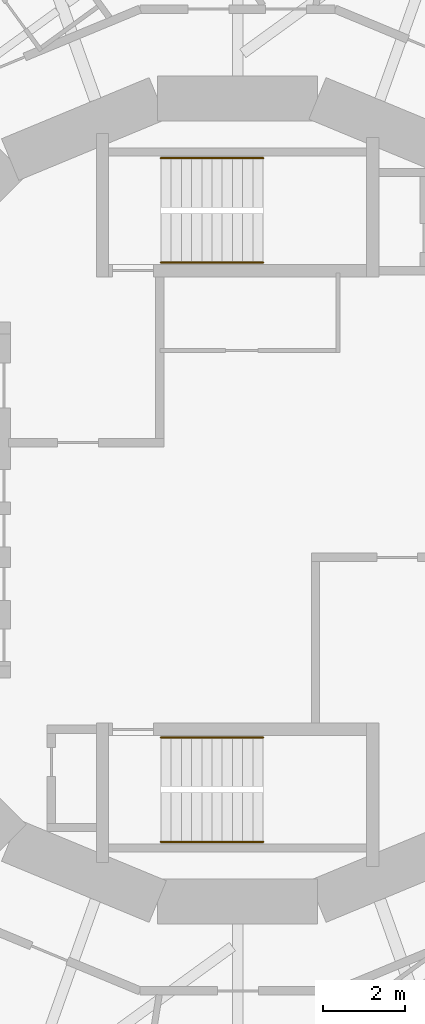
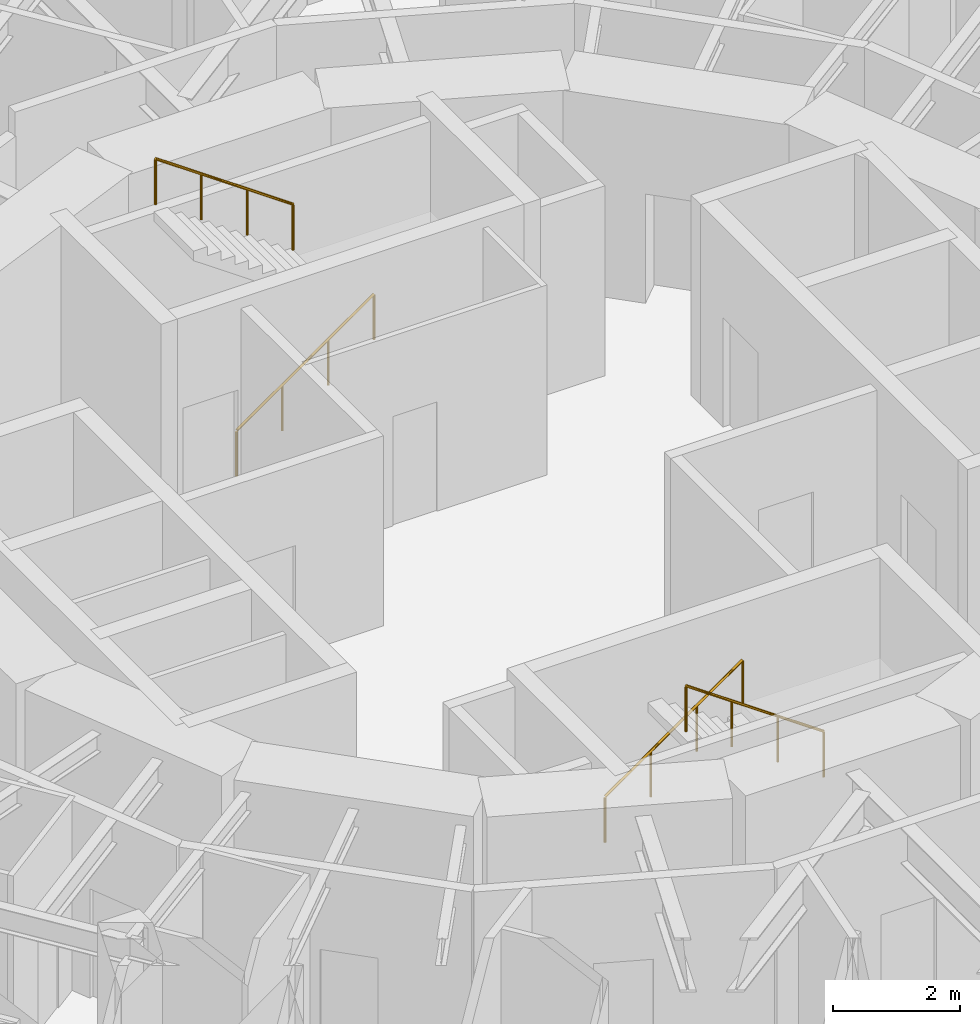
# One storey, part 9 of 9: 4 railings.
"""IFC4 building model written with IfcOpenShell, lengths in metres."""

from ifc_helpers import new_model, si_unit, direction, frame, origin, origin_2d, place, context, subcontext, project, spatial, circle, extrude, material, type_object, element, save


model = new_model("IFC4")

# Units and contexts
model_context = context("Model", 3, precision=1e-05, world=origin(), true_north=direction((0.0, 1.0)))
body_context = subcontext(model_context, "Body", "Model", "MODEL_VIEW")
ifc_project = project(units=[si_unit("LENGTHUNIT", "METRE"), si_unit("AREAUNIT", "SQUARE_METRE"), si_unit("VOLUMEUNIT", "CUBIC_METRE"), si_unit("PLANEANGLEUNIT", "RADIAN"), si_unit("MASSUNIT", "GRAM", prefix="KILO")], contexts=[model_context])

# Site, building, storey
site_placement = place(None, origin())
site = spatial("IfcSite", under=ifc_project, at=site_placement, CompositionType="ELEMENT")
building_placement = place(site_placement, origin())
building = spatial("IfcBuilding", under=site, at=building_placement, Name="Nakasero Lantern House", CompositionType="ELEMENT")
storey_placement = place(building_placement, frame((0.0, 0.0, 279.14990234375)))
storey = spatial("IfcBuildingStorey", under=building, at=storey_placement, Name="L68", CompositionType="ELEMENT", Elevation=279.14990234375)

# Railings
ifc_material = material(Name="Stainless steel 316", Category="steel")
railing_type = type_object("IfcRailingType", Name="Stair handrail 900", PredefinedType="HANDRAIL", material=ifc_material)
railing_1_placement = place(storey_placement, frame((-1.875, 5.800048828125, 0.175048828125)))
element("IfcRailing", 1, at=railing_1_placement, inside=storey, type_object=railing_type, Name="Handrail ST1 L68 flight 1", PredefinedType="HANDRAIL", context=body_context, shape_type="SweptSolid", body=[
    extrude(circle(Radius=0.02392578125, at=origin_2d()), frame((0.0, 0.0, 0.8759765625), z_axis=(0.819231920519, 0.0, 0.573462344363), x_axis=(0.0, 1.0, 0.0)), (0.0, 0.0, 1.0), 3.0517578125),
    extrude(circle(Radius=0.02099609375, at=origin_2d()), origin(), (0.0, 0.0, 1.0), 0.851806640625),
    extrude(circle(Radius=0.02099609375, at=origin_2d()), frame((0.833251953125, 0.0, 0.583251953125)), (0.0, 0.0, 1.0), 0.851806640625),
    extrude(circle(Radius=0.02099609375, at=origin_2d()), frame((1.666748046875, 0.0, 1.166748046875)), (0.0, 0.0, 1.0), 0.851806640625),
    extrude(circle(Radius=0.02099609375, at=origin_2d()), frame((2.5, 0.0, 1.75)), (0.0, 0.0, 1.0), 0.851806640625),
])
railing_2_placement = place(storey_placement, frame((0.625, 8.35009765625, 2.10009765625)))
element("IfcRailing", 2, at=railing_2_placement, inside=storey, type_object=railing_type, Name="Handrail ST1 L68 flight 2", PredefinedType="HANDRAIL", context=body_context, shape_type="SweptSolid", body=[
    extrude(circle(Radius=0.02392578125, at=origin_2d()), frame((0.0, 0.0, 0.8759765625), z_axis=(-0.819231920519, 0.0, 0.573462344363), x_axis=(0.0, -1.0, 0.0)), (0.0, 0.0, 1.0), 3.0517578125),
    extrude(circle(Radius=0.02099609375, at=origin_2d()), origin(), (0.0, 0.0, 1.0), 0.851806640625),
    extrude(circle(Radius=0.02099609375, at=origin_2d()), frame((-0.833251953125, 0.0, 0.583251953125)), (0.0, 0.0, 1.0), 0.851806640625),
    extrude(circle(Radius=0.02099609375, at=origin_2d()), frame((-1.666748046875, 0.0, 1.166748046875)), (0.0, 0.0, 1.0), 0.851806640625),
    extrude(circle(Radius=0.02099609375, at=origin_2d()), frame((-2.5, 0.0, 1.75)), (0.0, 0.0, 1.0), 0.851806640625),
])
railing_3_placement = place(storey_placement, frame((-1.875, -5.800048828125, 0.175048828125)))
element("IfcRailing", 3, at=railing_3_placement, inside=storey, type_object=railing_type, Name="Handrail ST2 L68 flight 1", PredefinedType="HANDRAIL", context=body_context, shape_type="SweptSolid", body=[
    extrude(circle(Radius=0.02392578125, at=origin_2d()), frame((0.0, 0.0, 0.8759765625), z_axis=(0.819231920519, 0.0, 0.573462344363), x_axis=(0.0, 1.0, 0.0)), (0.0, 0.0, 1.0), 3.0517578125),
    extrude(circle(Radius=0.02099609375, at=origin_2d()), origin(), (0.0, 0.0, 1.0), 0.851806640625),
    extrude(circle(Radius=0.02099609375, at=origin_2d()), frame((0.833251953125, 0.0, 0.583251953125)), (0.0, 0.0, 1.0), 0.851806640625),
    extrude(circle(Radius=0.02099609375, at=origin_2d()), frame((1.666748046875, 0.0, 1.166748046875)), (0.0, 0.0, 1.0), 0.851806640625),
    extrude(circle(Radius=0.02099609375, at=origin_2d()), frame((2.5, 0.0, 1.75)), (0.0, 0.0, 1.0), 0.851806640625),
])
railing_4_placement = place(storey_placement, frame((0.625, -8.35009765625, 2.10009765625)))
element("IfcRailing", 4, at=railing_4_placement, inside=storey, type_object=railing_type, Name="Handrail ST2 L68 flight 2", PredefinedType="HANDRAIL", context=body_context, shape_type="SweptSolid", body=[
    extrude(circle(Radius=0.02392578125, at=origin_2d()), frame((0.0, 0.0, 0.8759765625), z_axis=(-0.819231920519, 0.0, 0.573462344363), x_axis=(0.0, -1.0, 0.0)), (0.0, 0.0, 1.0), 3.0517578125),
    extrude(circle(Radius=0.02099609375, at=origin_2d()), origin(), (0.0, 0.0, 1.0), 0.851806640625),
    extrude(circle(Radius=0.02099609375, at=origin_2d()), frame((-0.833251953125, 0.0, 0.583251953125)), (0.0, 0.0, 1.0), 0.851806640625),
    extrude(circle(Radius=0.02099609375, at=origin_2d()), frame((-1.666748046875, 0.0, 1.166748046875)), (0.0, 0.0, 1.0), 0.851806640625),
    extrude(circle(Radius=0.02099609375, at=origin_2d()), frame((-2.5, 0.0, 1.75)), (0.0, 0.0, 1.0), 0.851806640625),
])

save(model, "model.ifc")
